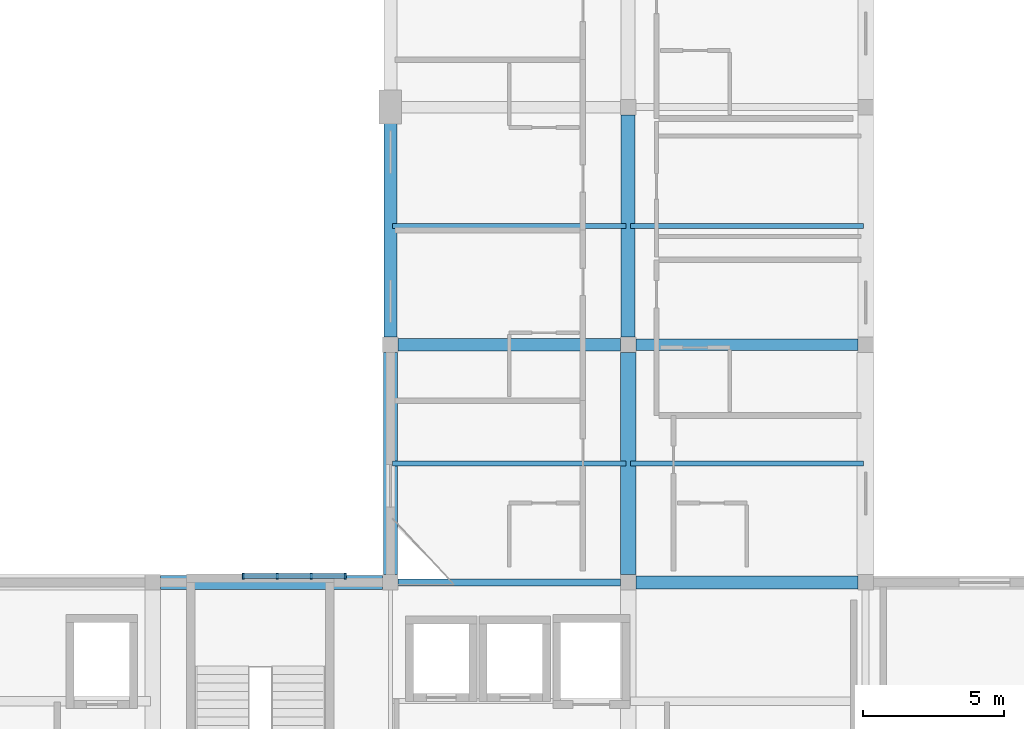
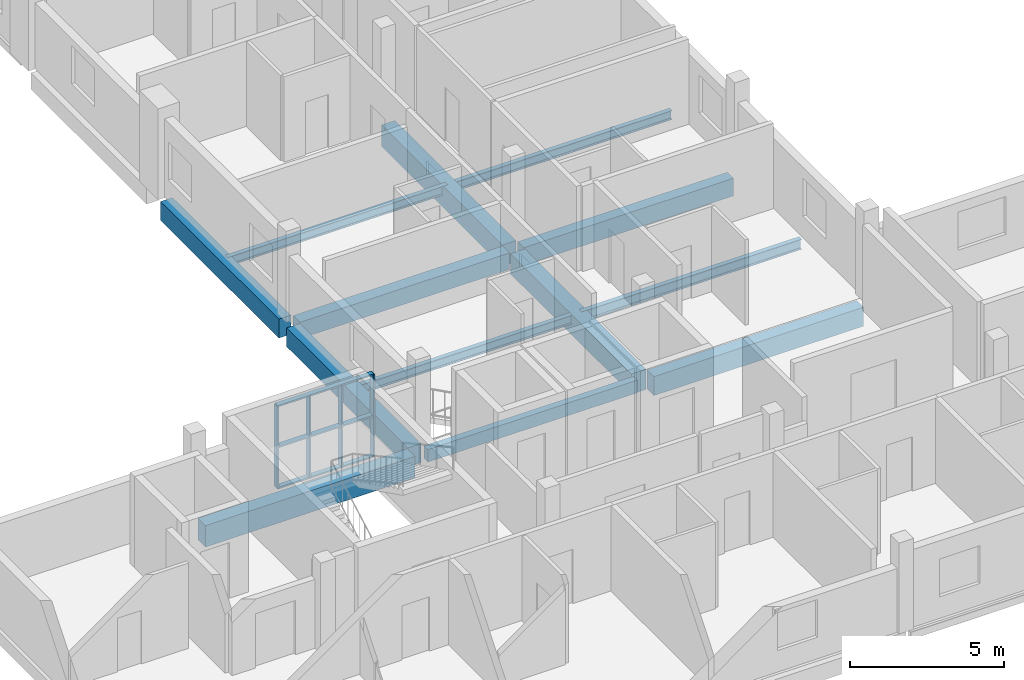
# One storey, part 2 of 20: 13 beams, 7 members, 1 element without a shape of its own.
"""IFC4 building model written with IfcOpenShell, lengths in metres."""

from ifc_helpers import new_model, si_unit, derived_unit, direction, frame, origin, origin_2d, place, context, subcontext, project, spatial, rectangle, i_section, extrude, material, material_profile, profile_set, type_object, element, aggregate, save


model = new_model("IFC4")

# Units and contexts
model_context = context("Model", 3, precision=1e-05, world=origin(), true_north=direction((0.0, 1.0)))
body_context = subcontext(model_context, "Body", "Model", "MODEL_VIEW")
ifc_project = project(units=[si_unit("LENGTHUNIT", "METRE"), si_unit("AREAUNIT", "SQUARE_METRE"), si_unit("VOLUMEUNIT", "CUBIC_METRE"), si_unit("PLANEANGLEUNIT", "RADIAN"), si_unit("MASSUNIT", "GRAM", prefix="KILO"), derived_unit("THERMALTRANSMITTANCEUNIT", [(si_unit("POWERUNIT", "WATT"), 1), (si_unit("LENGTHUNIT", "METRE"), -2), (si_unit("THERMODYNAMICTEMPERATUREUNIT", "KELVIN"), -1)])], contexts=[model_context])

# Site, building, storey
site_placement = place(None, origin())
site = spatial("IfcSite", under=ifc_project, at=site_placement, CompositionType="ELEMENT")
building_placement = place(site_placement, origin())
building = spatial("IfcBuilding", under=site, at=building_placement, Name="Barrovel Congress Hotel", CompositionType="ELEMENT")
storey_placement = place(building_placement, frame((0.0, 0.0, 36.300048828125)))
storey = spatial("IfcBuildingStorey", under=building, at=storey_placement, Name="L09", CompositionType="ELEMENT", Elevation=36.300048828125)

# Beams
ifc_material_1 = material(Name="Concrete C40", Category="concrete")
ifc_material_profile_1 = material_profile(ifc_material_1, rectangle(XDim=0.25, YDim=0.5, at=origin_2d()), Name="RC250x500")
ifc_profile_set_1 = profile_set([ifc_material_profile_1], Name="Concrete C40")
beam_type_1 = type_object("IfcBeamType", Name="BM-RC250x500", PredefinedType="SPANDREL", material=ifc_profile_set_1)
beam_1_placement = place(storey_placement, frame((33.875, 21.0, -0.469970703125), z_axis=(1.0, 0.0, 0.0), x_axis=(0.0, 1.0, 0.0)))
element("IfcBeam", 1, at=beam_1_placement, inside=storey, type_object=beam_type_1, Name="BMX:L09:21.0:33.6-42.0", PredefinedType="SPANDREL", context=body_context, shape_type="SweptSolid", body=[
    extrude(rectangle(XDim=0.25, YDim=0.5, at=origin_2d()), origin(), (0.0, 0.0, 1.0), 7.85009765625),
])
ifc_material_profile_2 = material_profile(ifc_material_1, rectangle(XDim=0.39990234375, YDim=0.699951171875, at=origin_2d()), Name="RC400x700")
ifc_profile_set_2 = profile_set([ifc_material_profile_2], Name="Concrete C40")
beam_type_2 = type_object("IfcBeamType", Name="BM-RC400x700", PredefinedType="BEAM", material=ifc_profile_set_2)
beam_2_placement = place(storey_placement, frame((42.27490234375, 29.39990234375, -0.570068359375), z_axis=(1.0, 0.0, 0.0), x_axis=(0.0, 1.0, 0.0)))
element("IfcBeam", 2, at=beam_2_placement, inside=storey, type_object=beam_type_2, Name="BMX:L09:29.4:42.0-50.4", PredefinedType="BEAM", context=body_context, shape_type="SweptSolid", body=[
    extrude(rectangle(XDim=0.39990234375, YDim=0.699951171875, at=origin_2d()), origin(), (0.0, 0.0, 1.0), 7.85009765625),
])
ifc_material_profile_3 = material_profile(ifc_material_1, rectangle(XDim=0.449951171875, YDim=0.64990234375, at=origin_2d()), Name="RC450x650")
ifc_profile_set_3 = profile_set([ifc_material_profile_3], Name="Concrete C40")
beam_type_3 = type_object("IfcBeamType", Name="BM-RC450x650", PredefinedType="BEAM", material=ifc_profile_set_3)
beam_3_placement = place(storey_placement, frame((33.875, 29.39990234375, -0.545166015625), z_axis=(1.0, 0.0, 0.0), x_axis=(0.0, 1.0, 0.0)))
element("IfcBeam", 3, at=beam_3_placement, inside=storey, type_object=beam_type_3, Name="BMX:L09:29.4:33.6-42.0", PredefinedType="BEAM", context=body_context, shape_type="SweptSolid", body=[
    extrude(rectangle(XDim=0.449951171875, YDim=0.64990234375, at=origin_2d()), origin(), (0.0, 0.0, 1.0), 7.85009765625),
])
ifc_material_profile_4 = material_profile(ifc_material_1, rectangle(XDim=0.449951171875, YDim=0.75, at=origin_2d()), Name="RC450x750")
ifc_profile_set_4 = profile_set([ifc_material_profile_4], Name="Concrete C40")
beam_type_4 = type_object("IfcBeamType", Name="BM-RC450x750", PredefinedType="BEAM", material=ifc_profile_set_4)
beam_4_placement = place(storey_placement, frame((42.27490234375, 21.0, -0.594970703125), z_axis=(1.0, 0.0, 0.0), x_axis=(0.0, 1.0, 0.0)))
element("IfcBeam", 4, at=beam_4_placement, inside=storey, type_object=beam_type_4, Name="BMX:L09:21.0:42.0-50.4", PredefinedType="BEAM", context=body_context, shape_type="SweptSolid", body=[
    extrude(rectangle(XDim=0.449951171875, YDim=0.75, at=origin_2d()), origin(), (0.0, 0.0, 1.0), 7.85009765625),
])
beam_5_placement = place(storey_placement, frame((33.60009765625, 29.675048828125, -0.594970703125), z_axis=(0.0, 1.0, 0.0), x_axis=(-1.0, 0.0, 0.0)))
element("IfcBeam", 5, at=beam_5_placement, inside=storey, type_object=beam_type_4, Name="BMY:L09:33.6:29.4-37.8", PredefinedType="BEAM", context=body_context, shape_type="SweptSolid", body=[
    extrude(rectangle(XDim=0.449951171875, YDim=0.75, at=origin_2d()), origin(), (0.0, 0.0, 1.0), 7.675048828125),
])
ifc_material_profile_5 = material_profile(ifc_material_1, rectangle(XDim=0.5, YDim=0.75, at=origin_2d()), Name="RC500x750")
ifc_profile_set_5 = profile_set([ifc_material_profile_5], Name="Concrete C40")
beam_type_5 = type_object("IfcBeamType", Name="BM-RC500x750", PredefinedType="BEAM", material=ifc_profile_set_5)
beam_6_placement = place(storey_placement, frame((33.60009765625, 21.27490234375, -0.594970703125), z_axis=(0.0, 1.0, 0.0), x_axis=(-1.0, 0.0, 0.0)))
element("IfcBeam", 6, at=beam_6_placement, inside=storey, type_object=beam_type_5, Name="BMY:L09:33.6:21.0-29.4", PredefinedType="BEAM", context=body_context, shape_type="SweptSolid", body=[
    extrude(rectangle(XDim=0.5, YDim=0.75, at=origin_2d()), origin(), (0.0, 0.0, 1.0), 7.85009765625),
])
ifc_material_profile_6 = material_profile(ifc_material_1, rectangle(XDim=0.5, YDim=0.85009765625, at=origin_2d()), Name="RC500x850")
ifc_profile_set_6 = profile_set([ifc_material_profile_6], Name="Concrete C40")
beam_type_6 = type_object("IfcBeamType", Name="BM-RC500x850", PredefinedType="BEAM", material=ifc_profile_set_6)
for number, where, z_axis, x_axis, name in (
    (7, (25.47509765625, 21.0, -0.64501953125), (1.0, 0.0, 0.0), (0.0, 1.0, 0.0), "BMX:L09:21.0:25.2-33.6"),
    (8, (42.0, 29.675048828125, -0.64501953125), (0.0, 1.0, 0.0), (-1.0, 0.0, 0.0), "BMY:L09:42.0:29.4-37.8"),
):
    element("IfcBeam", number, at=place(storey_placement, frame(where, z_axis=z_axis, x_axis=x_axis)), inside=storey, type_object=beam_type_6, Name=name, PredefinedType="BEAM", context=body_context, shape_type="SweptSolid", body=[
        extrude(rectangle(XDim=0.5, YDim=0.85009765625, at=origin_2d()), origin(), (0.0, 0.0, 1.0), 7.849853515625),
    ])
ifc_material_profile_7 = material_profile(ifc_material_1, rectangle(XDim=0.550048828125, YDim=0.800048828125, at=origin_2d()), Name="RC550x800")
ifc_profile_set_7 = profile_set([ifc_material_profile_7], Name="Concrete C40")
beam_type_7 = type_object("IfcBeamType", Name="BM-RC550x800", PredefinedType="BEAM", material=ifc_profile_set_7)
beam_7_placement = place(storey_placement, frame((42.0, 21.27490234375, -0.6201171875), z_axis=(0.0, 1.0, 0.0), x_axis=(-1.0, 0.0, 0.0)))
element("IfcBeam", 9, at=beam_7_placement, inside=storey, type_object=beam_type_7, Name="BMY:L09:42.0:21.0-29.4", PredefinedType="BEAM", context=body_context, shape_type="SweptSolid", body=[
    extrude(rectangle(XDim=0.550048828125, YDim=0.800048828125, at=origin_2d()), origin(), (0.0, 0.0, 1.0), 7.85009765625),
])

# Curtain wall, members
ifc_material_2 = material(Name="Anodised Aluminium Alloy 6063-T6", Category="aluminium")
curtain_wall_type = type_object("IfcCurtainWallType", Name="CW-UN-3600x3200", PredefinedType="USERDEFINED", material=ifc_material_2)
curtain_wall_placement = place(storey_placement, origin())
curtain_wall = element("IfcCurtainWall", 10, at=curtain_wall_placement, inside=storey, type_object=curtain_wall_type, Name="CW:L09:UN-3", ObjectType="UNITISED CURTAIN WALL", PredefinedType="USERDEFINED")
ifc_material_profile_8 = material_profile(ifc_material_2, rectangle(XDim=0.06494140625, YDim=0.219970703125, at=origin_2d()), Name="AL-M65x220")
ifc_profile_set_8 = profile_set([ifc_material_profile_8], Name="Anodised Aluminium Alloy 6063-T6")
member_type_1 = type_object("IfcMemberType", Name="CWM-AL-M65x220", PredefinedType="MULLION", material=ifc_profile_set_8)
member_1_placement = place(storey_placement, frame((28.39990234375, 21.219970703125, 0.0), z_axis=(0.0, 0.0, 1.0), x_axis=(1.0, 0.0, 0.0)))
member_1 = element("IfcMember", 11, at=member_1_placement, type_object=member_type_1, Name="CW:L09:UN-3:M0", PredefinedType="MULLION", context=body_context, shape_type="SweptSolid", body=[
    extrude(rectangle(XDim=0.06494140625, YDim=0.219970703125, at=origin_2d()), origin(), (0.0, 0.0, 1.0), 3.25),
])
member_2_placement = place(storey_placement, frame((29.60009765625, 21.219970703125, 0.0), z_axis=(0.0, 0.0, 1.0), x_axis=(1.0, 0.0, 0.0)))
member_2 = element("IfcMember", 12, at=member_2_placement, type_object=member_type_1, Name="CW:L09:UN-3:M1", PredefinedType="MULLION", context=body_context, shape_type="SweptSolid", body=[
    extrude(rectangle(XDim=0.06494140625, YDim=0.219970703125, at=origin_2d()), origin(), (0.0, 0.0, 1.0), 3.25),
])
member_3_placement = place(storey_placement, frame((30.800048828125, 21.219970703125, 0.0), z_axis=(0.0, 0.0, 1.0), x_axis=(1.0, 0.0, 0.0)))
member_3 = element("IfcMember", 13, at=member_3_placement, type_object=member_type_1, Name="CW:L09:UN-3:M2", PredefinedType="MULLION", context=body_context, shape_type="SweptSolid", body=[
    extrude(rectangle(XDim=0.06494140625, YDim=0.219970703125, at=origin_2d()), origin(), (0.0, 0.0, 1.0), 3.25),
])
member_4_placement = place(storey_placement, frame((32.0, 21.219970703125, 0.0), z_axis=(0.0, 0.0, 1.0), x_axis=(1.0, 0.0, 0.0)))
member_4 = element("IfcMember", 14, at=member_4_placement, type_object=member_type_1, Name="CW:L09:UN-3:M3", PredefinedType="MULLION", context=body_context, shape_type="SweptSolid", body=[
    extrude(rectangle(XDim=0.06494140625, YDim=0.219970703125, at=origin_2d()), origin(), (0.0, 0.0, 1.0), 3.25),
])
ifc_material_profile_9 = material_profile(ifc_material_2, rectangle(XDim=0.179931640625, YDim=0.06494140625, at=origin_2d()), Name="AL-T65x180")
ifc_profile_set_9 = profile_set([ifc_material_profile_9], Name="Anodised Aluminium Alloy 6063-T6")
member_type_2 = type_object("IfcMemberType", Name="CWT-AL-T65x180", PredefinedType="USERDEFINED", material=ifc_profile_set_9)
member_5_placement = place(storey_placement, frame((28.39990234375, 21.219970703125, 0.0), z_axis=(1.0, 0.0, 0.0), x_axis=(0.0, 1.0, 0.0)))
member_5 = element("IfcMember", 15, at=member_5_placement, type_object=member_type_2, Name="CW:L09:UN-3:T0", ObjectType="TRANSOM", PredefinedType="USERDEFINED", context=body_context, shape_type="SweptSolid", body=[
    extrude(rectangle(XDim=0.179931640625, YDim=0.06494140625, at=origin_2d()), origin(), (0.0, 0.0, 1.0), 3.60009765625),
])
member_6_placement = place(storey_placement, frame((28.39990234375, 21.219970703125, 1.625), z_axis=(1.0, 0.0, 0.0), x_axis=(0.0, 1.0, 0.0)))
member_6 = element("IfcMember", 16, at=member_6_placement, type_object=member_type_2, Name="CW:L09:UN-3:T1", ObjectType="TRANSOM", PredefinedType="USERDEFINED", context=body_context, shape_type="SweptSolid", body=[
    extrude(rectangle(XDim=0.179931640625, YDim=0.06494140625, at=origin_2d()), origin(), (0.0, 0.0, 1.0), 3.60009765625),
])
member_7_placement = place(storey_placement, frame((28.39990234375, 21.219970703125, 3.25), z_axis=(1.0, 0.0, 0.0), x_axis=(0.0, 1.0, 0.0)))
member_7 = element("IfcMember", 17, at=member_7_placement, type_object=member_type_2, Name="CW:L09:UN-3:T2", ObjectType="TRANSOM", PredefinedType="USERDEFINED", context=body_context, shape_type="SweptSolid", body=[
    extrude(rectangle(XDim=0.179931640625, YDim=0.06494140625, at=origin_2d()), origin(), (0.0, 0.0, 1.0), 3.60009765625),
])
aggregate(curtain_wall, [member_1, member_2, member_3, member_4, member_5, member_6, member_7])

# Beams
ifc_material_3 = material(Name="Steel ASTM A992 Grade 50", Category="steel")
ifc_material_profile_10 = material_profile(ifc_material_3, i_section(OverallWidth=0.1708984375, OverallDepth=0.35205078125, WebThickness=0.0068359375, FlangeThickness=0.009765625, FilletRadius=0.011962890625, at=origin_2d()), Name="W360x44")
ifc_profile_set_10 = profile_set([ifc_material_profile_10], Name="Steel ASTM A992 Grade 50")
beam_type_8 = type_object("IfcBeamType", Name="SBM-W360x44", PredefinedType="JOIST", material=ifc_profile_set_10)
beam_8_placement = place(storey_placement, frame((33.679931640625, 33.60009765625, -0.39599609375), z_axis=(1.0, 0.0, 0.0), x_axis=(0.0, 1.0, 0.0)))
element("IfcBeam", 18, at=beam_8_placement, inside=storey, type_object=beam_type_8, Name="JST:L09:33.6:33.6", PredefinedType="JOIST", context=body_context, shape_type="SweptSolid", body=[
    extrude(i_section(OverallWidth=0.1708984375, OverallDepth=0.35205078125, WebThickness=0.0068359375, FlangeThickness=0.009765625, FilletRadius=0.011962890625, at=origin_2d()), origin(), (0.0, 0.0, 1.0), 8.239990234375),
])
ifc_material_profile_11 = material_profile(ifc_material_3, i_section(OverallWidth=0.172119140625, OverallDepth=0.35791015625, WebThickness=0.0078125, FlangeThickness=0.01318359375, FilletRadius=0.011962890625, at=origin_2d()), Name="W360x57")
ifc_profile_set_11 = profile_set([ifc_material_profile_11], Name="Steel ASTM A992 Grade 50")
beam_type_9 = type_object("IfcBeamType", Name="SBM-W360x57", PredefinedType="JOIST", material=ifc_profile_set_11)
for number, where, z_axis, x_axis, name in (
    (19, (33.679931640625, 25.199951171875, -0.399169921875), (1.0, 0.0, 0.0), (0.0, 1.0, 0.0), "JST:L09:33.6:25.2"),
    (20, (42.080078125, 33.60009765625, -0.399169921875), (1.0, 0.0, 0.0), (0.0, 1.0, 0.0), "JST:L09:42.0:33.6"),
):
    element("IfcBeam", number, at=place(storey_placement, frame(where, z_axis=z_axis, x_axis=x_axis)), inside=storey, type_object=beam_type_9, Name=name, PredefinedType="JOIST", context=body_context, shape_type="SweptSolid", body=[
        extrude(i_section(OverallWidth=0.172119140625, OverallDepth=0.35791015625, WebThickness=0.0078125, FlangeThickness=0.01318359375, FilletRadius=0.011962890625, at=origin_2d()), origin(), (0.0, 0.0, 1.0), 8.239990234375),
    ])
ifc_material_profile_12 = material_profile(ifc_material_3, i_section(OverallWidth=0.177001953125, OverallDepth=0.403076171875, WebThickness=0.007568359375, FlangeThickness=0.010986328125, FilletRadius=0.011962890625, at=origin_2d()), Name="W410x53")
ifc_profile_set_12 = profile_set([ifc_material_profile_12], Name="Steel ASTM A992 Grade 50")
beam_type_10 = type_object("IfcBeamType", Name="SBM-W410x53", PredefinedType="JOIST", material=ifc_profile_set_12)
beam_9_placement = place(storey_placement, frame((42.080078125, 25.199951171875, -0.421630859375), z_axis=(1.0, 0.0, 0.0), x_axis=(0.0, 1.0, 0.0)))
element("IfcBeam", 21, at=beam_9_placement, inside=storey, type_object=beam_type_10, Name="JST:L09:42.0:25.2", PredefinedType="JOIST", context=body_context, shape_type="SweptSolid", body=[
    extrude(i_section(OverallWidth=0.177001953125, OverallDepth=0.403076171875, WebThickness=0.007568359375, FlangeThickness=0.010986328125, FilletRadius=0.011962890625, at=origin_2d()), origin(), (0.0, 0.0, 1.0), 8.239990234375),
])

save(model, "model.ifc")
